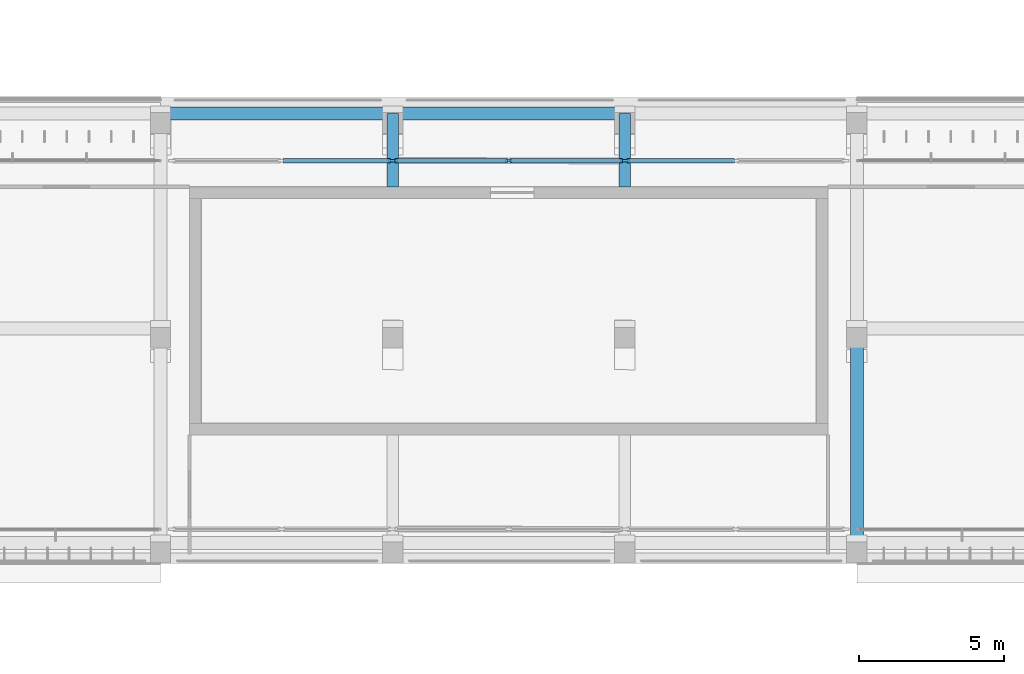
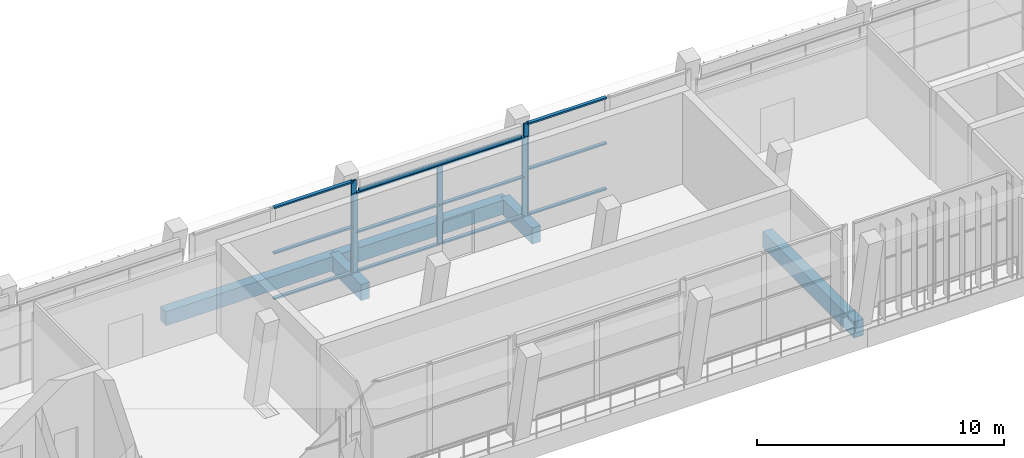
# One storey, part 9 of 74: 17 members, 6 beams, 3 elements without a shape of their own.
"""IFC4 building model written with IfcOpenShell, lengths in metres."""

from ifc_helpers import new_model, si_unit, direction, frame, origin, origin_2d, place, context, subcontext, project, spatial, rectangle, hollow_rectangle, extrude, material, material_profile, profile_set, type_object, element, aggregate, save


model = new_model("IFC4")

# Units and contexts
model_context = context("Model", 3, precision=1e-05, world=origin(), true_north=direction((0.0, 1.0)))
body_context = subcontext(model_context, "Body", "Model", "MODEL_VIEW")
ifc_project = project(units=[si_unit("LENGTHUNIT", "METRE"), si_unit("AREAUNIT", "SQUARE_METRE"), si_unit("VOLUMEUNIT", "CUBIC_METRE"), si_unit("PLANEANGLEUNIT", "RADIAN"), si_unit("MASSUNIT", "GRAM", prefix="KILO")], contexts=[model_context])

# Site, building, storey
site_placement = place(None, origin())
site = spatial("IfcSite", under=ifc_project, at=site_placement, CompositionType="ELEMENT")
building_placement = place(site_placement, origin())
building = spatial("IfcBuilding", under=site, at=building_placement, Name="Lantern Court Media Centre", CompositionType="ELEMENT")
storey_placement = place(building_placement, frame((0.0, 0.0, 19.199951171875)))
storey = spatial("IfcBuildingStorey", under=building, at=storey_placement, Name="L04", CompositionType="ELEMENT", Elevation=19.199951171875)

# Curtain wall, member
ifc_material_1 = material(Name="Curtain wall bay 4000")
curtain_wall_type = type_object("IfcCurtainWallType", Name="Curtain wall bay 4000", PredefinedType="NOTDEFINED", material=ifc_material_1)
curtain_wall_1_placement = place(storey_placement, origin())
curtain_wall_1 = element("IfcCurtainWall", 1, at=curtain_wall_1_placement, inside=storey, type_object=curtain_wall_type, Name="Curtain wall S inner L04", PredefinedType="NOTDEFINED")
ifc_material_2 = material(Name="Anodised aluminium", Category="aluminium")
ifc_material_profile_1 = material_profile(ifc_material_2, rectangle(XDim=0.080078125, YDim=0.239990234375, at=origin_2d()), Name="AL 80x240")
ifc_profile_set_1 = profile_set([ifc_material_profile_1], Name="Anodised aluminium")
member_type_1 = type_object("IfcMemberType", Name="Curtain wall mullion 80x240", PredefinedType="MULLION", material=ifc_profile_set_1)
member_1_placement = place(storey_placement, frame((47.9599609375, 57.85009765625, 0.0), z_axis=(0.0, 0.0, 1.0), x_axis=(0.0, 1.0, 0.0)))
member_1 = element("IfcMember", 2, at=member_1_placement, type_object=member_type_1, Name="CW3 mullion 3", PredefinedType="MULLION", context=body_context, shape_type="SweptSolid", body=[
    extrude(rectangle(XDim=0.080078125, YDim=0.239990234375, at=origin_2d()), origin(), (0.0, 0.0, 1.0), 4.580078125),
])

# Curtain wall, members
curtain_wall_2_placement = place(storey_placement, origin())
curtain_wall_2 = element("IfcCurtainWall", 3, at=curtain_wall_2_placement, inside=storey, type_object=curtain_wall_type, Name="Curtain wall S inner L04", PredefinedType="NOTDEFINED")
member_2_placement = place(storey_placement, frame((48.0400390625, 57.85009765625, 0.0), z_axis=(0.0, 0.0, 1.0), x_axis=(0.0, 1.0, 0.0)))
member_2 = element("IfcMember", 4, at=member_2_placement, type_object=member_type_1, Name="CW3 mullion 1", PredefinedType="MULLION", context=body_context, shape_type="SweptSolid", body=[
    extrude(rectangle(XDim=0.080078125, YDim=0.239990234375, at=origin_2d()), origin(), (0.0, 0.0, 1.0), 3.949951171875),
])
member_3_placement = place(storey_placement, frame((52.0, 57.85009765625, 0.0), z_axis=(0.0, 0.0, 1.0), x_axis=(0.0, 1.0, 0.0)))
member_3 = element("IfcMember", 5, at=member_3_placement, type_object=member_type_1, Name="CW3 mullion 2", PredefinedType="MULLION", context=body_context, shape_type="SweptSolid", body=[
    extrude(rectangle(XDim=0.080078125, YDim=0.239990234375, at=origin_2d()), origin(), (0.0, 0.0, 1.0), 3.949951171875),
])
member_4_placement = place(storey_placement, frame((55.9599609375, 57.85009765625, 0.0), z_axis=(0.0, 0.0, 1.0), x_axis=(0.0, 1.0, 0.0)))
member_4 = element("IfcMember", 6, at=member_4_placement, type_object=member_type_1, Name="CW3 mullion 3", PredefinedType="MULLION", context=body_context, shape_type="SweptSolid", body=[
    extrude(rectangle(XDim=0.080078125, YDim=0.239990234375, at=origin_2d()), origin(), (0.0, 0.0, 1.0), 3.949951171875),
])

# Curtain wall, member
curtain_wall_3_placement = place(storey_placement, origin())
curtain_wall_3 = element("IfcCurtainWall", 7, at=curtain_wall_3_placement, inside=storey, type_object=curtain_wall_type, Name="Curtain wall S inner L04", PredefinedType="NOTDEFINED")
member_5_placement = place(storey_placement, frame((56.0400390625, 57.85009765625, 0.0), z_axis=(0.0, 0.0, 1.0), x_axis=(0.0, 1.0, 0.0)))
member_5 = element("IfcMember", 8, at=member_5_placement, type_object=member_type_1, Name="CW3 mullion 1", PredefinedType="MULLION", context=body_context, shape_type="SweptSolid", body=[
    extrude(rectangle(XDim=0.080078125, YDim=0.239990234375, at=origin_2d()), origin(), (0.0, 0.0, 1.0), 4.580078125),
])

# Member
ifc_material_profile_2 = material_profile(ifc_material_2, rectangle(XDim=0.159912109375, YDim=0.080078125, at=origin_2d()), Name="AL 80x160")
ifc_profile_set_2 = profile_set([ifc_material_profile_2], Name="Anodised aluminium")
member_type_2 = type_object("IfcMemberType", Name="Curtain wall transom 160x80", PredefinedType="USERDEFINED", material=ifc_profile_set_2)
member_6_placement = place(storey_placement, frame((44.215087890625, 57.85009765625, 0.0400390625), z_axis=(1.0, 0.0, 0.0), x_axis=(0.0, 1.0, 0.0)))
member_6 = element("IfcMember", 9, at=member_6_placement, type_object=member_type_2, Name="CW3 transom 2.1", ObjectType="TRANSOM", PredefinedType="USERDEFINED", context=body_context, shape_type="SweptSolid", body=[
    extrude(rectangle(XDim=0.159912109375, YDim=0.080078125, at=origin_2d()), origin(), (0.0, 0.0, 1.0), 3.704833984375),
])

member_7_placement = place(storey_placement, frame((44.215087890625, 57.85009765625, 2.2900390625), z_axis=(1.0, 0.0, 0.0), x_axis=(0.0, 1.0, 0.0)))
member_7 = element("IfcMember", 10, at=member_7_placement, type_object=member_type_2, Name="CW3 transom 2.2", ObjectType="TRANSOM", PredefinedType="USERDEFINED", context=body_context, shape_type="SweptSolid", body=[
    extrude(rectangle(XDim=0.159912109375, YDim=0.080078125, at=origin_2d()), origin(), (0.0, 0.0, 1.0), 3.704833984375),
])

member_8_placement = place(storey_placement, frame((44.215087890625, 57.85009765625, 4.5400390625), z_axis=(1.0, 0.0, 0.0), x_axis=(0.0, 1.0, 0.0)))
member_8 = element("IfcMember", 11, at=member_8_placement, type_object=member_type_2, Name="CW3 transom 2.3", ObjectType="TRANSOM", PredefinedType="USERDEFINED", context=body_context, shape_type="SweptSolid", body=[
    extrude(rectangle(XDim=0.159912109375, YDim=0.080078125, at=origin_2d()), origin(), (0.0, 0.0, 1.0), 3.704833984375),
])

aggregate(curtain_wall_1, [member_1, member_6, member_7, member_8])

member_9_placement = place(storey_placement, frame((48.080078125, 57.85009765625, 0.0400390625), z_axis=(1.0, 0.0, 0.0), x_axis=(0.0, 1.0, 0.0)))
member_9 = element("IfcMember", 12, at=member_9_placement, type_object=member_type_2, Name="CW3 transom 1.1", ObjectType="TRANSOM", PredefinedType="USERDEFINED", context=body_context, shape_type="SweptSolid", body=[
    extrude(rectangle(XDim=0.159912109375, YDim=0.080078125, at=origin_2d()), origin(), (0.0, 0.0, 1.0), 3.8798828125),
])

member_10_placement = place(storey_placement, frame((48.080078125, 57.85009765625, 1.97509765625), z_axis=(1.0, 0.0, 0.0), x_axis=(0.0, 1.0, 0.0)))
member_10 = element("IfcMember", 13, at=member_10_placement, type_object=member_type_2, Name="CW3 transom 1.2", ObjectType="TRANSOM", PredefinedType="USERDEFINED", context=body_context, shape_type="SweptSolid", body=[
    extrude(rectangle(XDim=0.159912109375, YDim=0.080078125, at=origin_2d()), origin(), (0.0, 0.0, 1.0), 3.8798828125),
])

member_11_placement = place(storey_placement, frame((48.080078125, 57.85009765625, 3.91015625), z_axis=(1.0, 0.0, 0.0), x_axis=(0.0, 1.0, 0.0)))
member_11 = element("IfcMember", 14, at=member_11_placement, type_object=member_type_2, Name="CW3 transom 1.3", ObjectType="TRANSOM", PredefinedType="USERDEFINED", context=body_context, shape_type="SweptSolid", body=[
    extrude(rectangle(XDim=0.159912109375, YDim=0.080078125, at=origin_2d()), origin(), (0.0, 0.0, 1.0), 3.8798828125),
])

member_12_placement = place(storey_placement, frame((52.0400390625, 57.85009765625, 0.0400390625), z_axis=(1.0, 0.0, 0.0), x_axis=(0.0, 1.0, 0.0)))
member_12 = element("IfcMember", 15, at=member_12_placement, type_object=member_type_2, Name="CW3 transom 2.1", ObjectType="TRANSOM", PredefinedType="USERDEFINED", context=body_context, shape_type="SweptSolid", body=[
    extrude(rectangle(XDim=0.159912109375, YDim=0.080078125, at=origin_2d()), origin(), (0.0, 0.0, 1.0), 3.8798828125),
])

member_13_placement = place(storey_placement, frame((52.0400390625, 57.85009765625, 1.97509765625), z_axis=(1.0, 0.0, 0.0), x_axis=(0.0, 1.0, 0.0)))
member_13 = element("IfcMember", 16, at=member_13_placement, type_object=member_type_2, Name="CW3 transom 2.2", ObjectType="TRANSOM", PredefinedType="USERDEFINED", context=body_context, shape_type="SweptSolid", body=[
    extrude(rectangle(XDim=0.159912109375, YDim=0.080078125, at=origin_2d()), origin(), (0.0, 0.0, 1.0), 3.8798828125),
])

member_14_placement = place(storey_placement, frame((52.0400390625, 57.85009765625, 3.91015625), z_axis=(1.0, 0.0, 0.0), x_axis=(0.0, 1.0, 0.0)))
member_14 = element("IfcMember", 17, at=member_14_placement, type_object=member_type_2, Name="CW3 transom 2.3", ObjectType="TRANSOM", PredefinedType="USERDEFINED", context=body_context, shape_type="SweptSolid", body=[
    extrude(rectangle(XDim=0.159912109375, YDim=0.080078125, at=origin_2d()), origin(), (0.0, 0.0, 1.0), 3.8798828125),
])

aggregate(curtain_wall_2, [member_2, member_3, member_4, member_9, member_10, member_11, member_12, member_13, member_14])

member_15_placement = place(storey_placement, frame((56.080078125, 57.85009765625, 0.0400390625), z_axis=(1.0, 0.0, 0.0), x_axis=(0.0, 1.0, 0.0)))
member_15 = element("IfcMember", 18, at=member_15_placement, type_object=member_type_2, Name="CW3 transom 1.1", ObjectType="TRANSOM", PredefinedType="USERDEFINED", context=body_context, shape_type="SweptSolid", body=[
    extrude(rectangle(XDim=0.159912109375, YDim=0.080078125, at=origin_2d()), origin(), (0.0, 0.0, 1.0), 3.704833984375),
])

member_16_placement = place(storey_placement, frame((56.080078125, 57.85009765625, 2.2900390625), z_axis=(1.0, 0.0, 0.0), x_axis=(0.0, 1.0, 0.0)))
member_16 = element("IfcMember", 19, at=member_16_placement, type_object=member_type_2, Name="CW3 transom 1.2", ObjectType="TRANSOM", PredefinedType="USERDEFINED", context=body_context, shape_type="SweptSolid", body=[
    extrude(rectangle(XDim=0.159912109375, YDim=0.080078125, at=origin_2d()), origin(), (0.0, 0.0, 1.0), 3.704833984375),
])

member_17_placement = place(storey_placement, frame((56.080078125, 57.85009765625, 4.5400390625), z_axis=(1.0, 0.0, 0.0), x_axis=(0.0, 1.0, 0.0)))
member_17 = element("IfcMember", 20, at=member_17_placement, type_object=member_type_2, Name="CW3 transom 1.3", ObjectType="TRANSOM", PredefinedType="USERDEFINED", context=body_context, shape_type="SweptSolid", body=[
    extrude(rectangle(XDim=0.159912109375, YDim=0.080078125, at=origin_2d()), origin(), (0.0, 0.0, 1.0), 3.704833984375),
])

aggregate(curtain_wall_3, [member_5, member_15, member_16, member_17])

# Beams
ifc_material_3 = material(Name="Steel S355J2 (EN 10025-2)", Category="steel")
ifc_material_profile_3 = material_profile(ifc_material_3, hollow_rectangle(XDim=0.10009765625, YDim=0.14990234375, WallThickness=0.00634765625, InnerFilletRadius=0.00634765625, OuterFilletRadius=0.009521484375, at=origin_2d()), Name="Facade head lintel RHS 150x100x6.3")
ifc_profile_set_3 = profile_set([ifc_material_profile_3], Name="Steel S355J2 (EN 10025-2)")
beam_type_1 = type_object("IfcBeamType", Name="Facade head lintel RHS 150x100x6.3", PredefinedType="BEAM", material=ifc_profile_set_3)
beam_1_placement = place(storey_placement, frame((48.199951171875, 57.85009765625, 4.025146484375), z_axis=(1.0, 0.0, 0.0), x_axis=(0.0, 1.0, 0.0)))
element("IfcBeam", 21, at=beam_1_placement, inside=storey, type_object=beam_type_1, Name="Facade head lintel S L04", PredefinedType="BEAM", context=body_context, shape_type="SweptSolid", body=[
    extrude(hollow_rectangle(XDim=0.10009765625, YDim=0.14990234375, WallThickness=0.00634765625, InnerFilletRadius=0.00634765625, OuterFilletRadius=0.009521484375, at=origin_2d()), origin(), (0.0, 0.0, 1.0), 7.60009765625),
])
ifc_material_4 = material(Name="Concrete C35", Category="concrete")
ifc_material_profile_4 = material_profile(ifc_material_4, rectangle(XDim=0.39990234375, YDim=0.800048828125, at=origin_2d()), Name="RC 400x800")
ifc_profile_set_4 = profile_set([ifc_material_profile_4], Name="Concrete C35")
beam_type_2 = type_object("IfcBeamType", Name="RC BEAM 400x800", PredefinedType="BEAM", material=ifc_profile_set_4)
for number, where, z_axis, x_axis, name in (
    (22, (48.0, 56.949951171875, -0.39990234375), (0.0, 1.0, 0.0), (-1.0, 0.0, 0.0), "TB-S-L04-3-2"),
    (23, (56.0, 56.949951171875, -0.39990234375), (0.0, 1.0, 0.0), (-1.0, 0.0, 0.0), "TB-S-L04-4-2"),
):
    element("IfcBeam", number, at=place(storey_placement, frame(where, z_axis=z_axis, x_axis=x_axis)), inside=storey, type_object=beam_type_2, Name=name, PredefinedType="BEAM", context=body_context, shape_type="SweptSolid", body=[
        extrude(rectangle(XDim=0.39990234375, YDim=0.800048828125, at=origin_2d()), origin(), (0.0, 0.0, 1.0), 2.533447265625),
    ])
ifc_material_profile_5 = material_profile(ifc_material_4, rectangle(XDim=0.449951171875, YDim=0.699951171875, at=origin_2d()), Name="RC 450x700")
ifc_profile_set_5 = profile_set([ifc_material_profile_5], Name="Concrete C35")
beam_type_3 = type_object("IfcBeamType", Name="RC BEAM 450x700", PredefinedType="BEAM", material=ifc_profile_set_5)
for number, where, z_axis, x_axis, name in (
    (24, (40.0, 59.472900390625, -0.349853515625), (1.0, 0.0, 0.0), (0.0, 1.0, 0.0), "LB-S-L04-2-2"),
    (25, (48.0, 59.472900390625, -0.349853515625), (1.0, 0.0, 0.0), (0.0, 1.0, 0.0), "LB-S-L04-2-3"),
):
    element("IfcBeam", number, at=place(storey_placement, frame(where, z_axis=z_axis, x_axis=x_axis)), inside=storey, type_object=beam_type_3, Name=name, PredefinedType="BEAM", context=body_context, shape_type="SweptSolid", body=[
        extrude(rectangle(XDim=0.449951171875, YDim=0.699951171875, at=origin_2d()), origin(), (0.0, 0.0, 1.0), 8.0),
    ])
ifc_material_profile_6 = material_profile(ifc_material_4, rectangle(XDim=0.449951171875, YDim=0.800048828125, at=origin_2d()), Name="RC 450x800")
ifc_profile_set_6 = profile_set([ifc_material_profile_6], Name="Concrete C35")
beam_type_4 = type_object("IfcBeamType", Name="RC BEAM 450x800", PredefinedType="BEAM", material=ifc_profile_set_6)
beam_2_placement = place(storey_placement, frame((64.0, 44.683349609375, -0.39990234375), z_axis=(0.0, 1.0, 0.0), x_axis=(-1.0, 0.0, 0.0)))
element("IfcBeam", 26, at=beam_2_placement, inside=storey, type_object=beam_type_4, Name="TB-S-L04-5-1", PredefinedType="BEAM", context=body_context, shape_type="SweptSolid", body=[
    extrude(rectangle(XDim=0.449951171875, YDim=0.800048828125, at=origin_2d()), origin(), (0.0, 0.0, 1.0), 7.39990234375),
])

save(model, "model.ifc")
